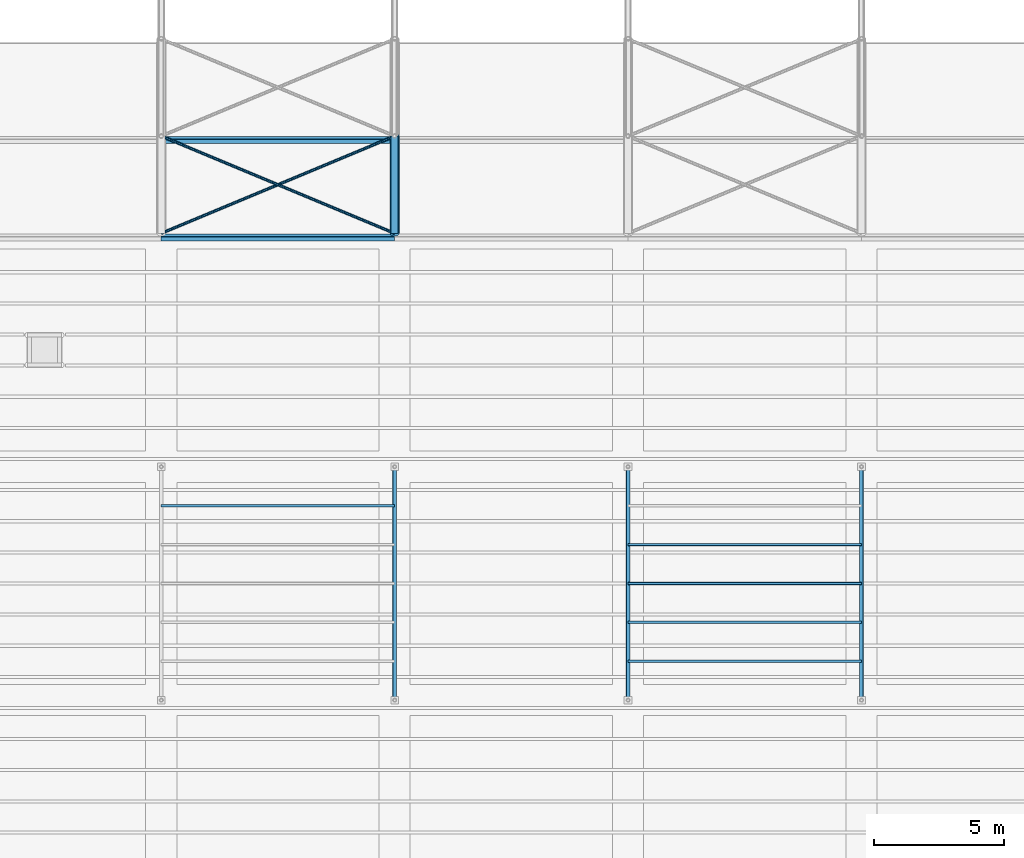
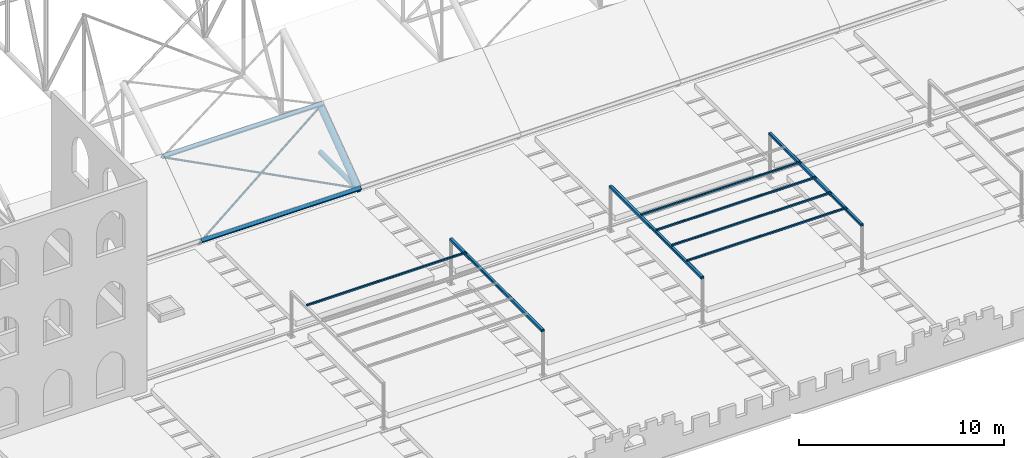
# One storey, part 21 of 153: 11 members, 3 beams.
"""IFC4 building model written with IfcOpenShell, lengths in metres."""

from ifc_helpers import new_model, si_unit, direction, frame, origin, origin_2d, place, context, subcontext, project, spatial, hollow_rectangle, hollow_circle, extrude, material, material_profile, profile_set, type_object, element, save


model = new_model("IFC4")

# Units and contexts
model_context = context("Model", 3, precision=1e-05, world=origin(), true_north=direction((0.0, 1.0)))
body_context = subcontext(model_context, "Body", "Model", "MODEL_VIEW")
ifc_project = project(units=[si_unit("LENGTHUNIT", "METRE"), si_unit("AREAUNIT", "SQUARE_METRE"), si_unit("VOLUMEUNIT", "CUBIC_METRE"), si_unit("PLANEANGLEUNIT", "RADIAN"), si_unit("MASSUNIT", "GRAM", prefix="KILO")], contexts=[model_context])

# Site, building, storey
site_placement = place(None, origin())
site = spatial("IfcSite", under=ifc_project, at=site_placement, CompositionType="ELEMENT")
building_placement = place(site_placement, origin())
building = spatial("IfcBuilding", under=site, at=building_placement, Name="Baradari Gate Terminus", CompositionType="ELEMENT")
storey_placement = place(building_placement, frame((0.0, 0.0, 11.699951171875)))
storey = spatial("IfcBuildingStorey", under=building, at=storey_placement, Name="L02", CompositionType="ELEMENT", Elevation=11.699951171875)

# Beams
ifc_material_1 = material(Name="Steel S355", Category="steel")
ifc_material_profile_1 = material_profile(ifc_material_1, hollow_rectangle(XDim=0.14990234375, YDim=0.14990234375, WallThickness=0.00634765625, InnerFilletRadius=0.00634765625, OuterFilletRadius=0.0126953125, at=origin_2d()), Name="SHS 150x150x6.3")
ifc_profile_set_1 = profile_set([ifc_material_profile_1], Name="Steel S355")
beam_type = type_object("IfcBeamType", Name="Pergola beam SHS 150x150x6.3", PredefinedType="BEAM", material=ifc_profile_set_1)
for number, where, z_axis, x_axis, name in (
    (1, (108.0, 18.0, 2.675048828125), (0.0, 1.0, 0.0), (-1.0, 0.0, 0.0), "RF/L02/PGS1-PGB2"),
    (2, (117.0, 18.0, 2.675048828125), (0.0, 1.0, 0.0), (-1.0, 0.0, 0.0), "RF/L02/PGS2-PGB1"),
    (3, (126.0, 18.0, 2.675048828125), (0.0, 1.0, 0.0), (-1.0, 0.0, 0.0), "RF/L02/PGS2-PGB2"),
):
    element("IfcBeam", number, at=place(storey_placement, frame(where, z_axis=z_axis, x_axis=x_axis)), inside=storey, type_object=beam_type, Name=name, PredefinedType="BEAM", context=body_context, shape_type="SweptSolid", body=[
        extrude(hollow_rectangle(XDim=0.14990234375, YDim=0.14990234375, WallThickness=0.00634765625, InnerFilletRadius=0.00634765625, OuterFilletRadius=0.0126953125, at=origin_2d()), origin(), (0.0, 0.0, 1.0), 9.0),
    ])

# Members
ifc_material_2 = material(Name="Steel S355", Category="steel")
ifc_material_profile_2 = material_profile(ifc_material_2, hollow_rectangle(XDim=0.10009765625, YDim=0.10009765625, WallThickness=0.00634765625, InnerFilletRadius=0.00634765625, OuterFilletRadius=0.0126953125, at=origin_2d()), Name="SHS 100x100x6.3")
ifc_profile_set_2 = profile_set([ifc_material_profile_2], Name="Steel S355")
member_type_1 = type_object("IfcMemberType", Name="Pergola rafter SHS 100x100x6.3", PredefinedType="STRINGER", material=ifc_profile_set_2)
for number, where, z_axis, x_axis, name in (
    (4, (99.0, 25.5, 2.800048828125), (1.0, 0.0, 0.0), (0.0, 1.0, 0.0), "RF/L02/PGS1-PGR5"),
    (5, (117.0, 19.5, 2.800048828125), (1.0, 0.0, 0.0), (0.0, 1.0, 0.0), "RF/L02/PGS2-PGR1"),
    (6, (117.0, 21.0, 2.800048828125), (1.0, 0.0, 0.0), (0.0, 1.0, 0.0), "RF/L02/PGS2-PGR2"),
    (7, (117.0, 22.5, 2.800048828125), (1.0, 0.0, 0.0), (0.0, 1.0, 0.0), "RF/L02/PGS2-PGR3"),
    (8, (117.0, 24.0, 2.800048828125), (1.0, 0.0, 0.0), (0.0, 1.0, 0.0), "RF/L02/PGS2-PGR4"),
):
    element("IfcMember", number, at=place(storey_placement, frame(where, z_axis=z_axis, x_axis=x_axis)), inside=storey, type_object=member_type_1, Name=name, PredefinedType="STRINGER", context=body_context, shape_type="SweptSolid", body=[
        extrude(hollow_rectangle(XDim=0.10009765625, YDim=0.10009765625, WallThickness=0.00634765625, InnerFilletRadius=0.00634765625, OuterFilletRadius=0.0126953125, at=origin_2d()), origin(), (0.0, 0.0, 1.0), 9.0),
    ])
ifc_material_3 = material(Name="Steel S355", Category="steel")
ifc_material_profile_3 = material_profile(ifc_material_3, hollow_circle(Radius=0.136474609375, WallThickness=0.012451171875, at=origin_2d()), Name="CHS 273x12.5")
ifc_profile_set_3 = profile_set([ifc_material_profile_3], Name="Steel S355")
member_type_2 = type_object("IfcMemberType", Name="Shed bottom chord CHS 273x12.5", PredefinedType="CHORD", material=ifc_profile_set_3)
member_1_placement = place(storey_placement, frame((108.0, 36.0, 0.136474609375), z_axis=(0.0, 1.0, 0.0), x_axis=(-1.0, 0.0, 0.0)))
element("IfcMember", 9, at=member_1_placement, inside=storey, type_object=member_type_2, Name="TR/L02/S108-BC00", PredefinedType="CHORD", context=body_context, shape_type="SweptSolid", body=[
    extrude(hollow_circle(Radius=0.136474609375, WallThickness=0.012451171875, at=origin_2d()), origin(), (0.0, 0.0, 1.0), 3.75),
])
ifc_material_4 = material(Name="Steel S355", Category="steel")
ifc_material_profile_4 = material_profile(ifc_material_4, hollow_rectangle(XDim=0.199951171875, YDim=0.199951171875, WallThickness=0.008056640625, InnerFilletRadius=0.008056640625, OuterFilletRadius=0.01611328125, at=origin_2d()), Name="SHS 200x200x8")
ifc_profile_set_4 = profile_set([ifc_material_profile_4], Name="Steel S355")
member_type_3 = type_object("IfcMemberType", Name="Shed purlin SHS 200x200x8", PredefinedType="PURLIN", material=ifc_profile_set_4)
for number, where, z_axis, x_axis, name in (
    (10, (99.0, 35.8427734375, 0.350830078125), (1.0, 0.0, 0.0), (0.0, 0.80640499586, 0.591363663621), "TR/L02/B108-PU00"),
    (11, (99.0, 39.602783203125, 3.10791015625), (1.0, 0.0, 0.0), (0.0, 0.832836263724, 0.55351942859), "TR/L02/B108-PU01"),
):
    element("IfcMember", number, at=place(storey_placement, frame(where, z_axis=z_axis, x_axis=x_axis)), inside=storey, type_object=member_type_3, Name=name, PredefinedType="PURLIN", context=body_context, shape_type="SweptSolid", body=[
        extrude(hollow_rectangle(XDim=0.199951171875, YDim=0.199951171875, WallThickness=0.008056640625, InnerFilletRadius=0.008056640625, OuterFilletRadius=0.01611328125, at=origin_2d()), origin(), (0.0, 0.0, 1.0), 9.0),
    ])
ifc_material_5 = material(Name="Steel S355", Category="steel")
ifc_material_profile_5 = material_profile(ifc_material_5, hollow_circle(Radius=0.05712890625, WallThickness=0.00634765625, at=origin_2d()), Name="CHS 114.3x6.3")
ifc_profile_set_5 = profile_set([ifc_material_profile_5], Name="Steel S355")
member_type_4 = type_object("IfcMemberType", Name="Shed roof brace CHS 114.3x6.3", PredefinedType="BRACE", material=ifc_profile_set_5)
for number, where, z_axis, x_axis, name in (
    (12, (99.0, 36.0, 0.136474609375), (0.888415085526, 0.370172952302, 0.271460165022), (-0.384615384615, 0.923076923077, 0.0), "TR/L02/B108-RB00A"),
    (13, (108.0, 36.0, 0.250732421875), (-0.888415085526, 0.370172952302, 0.271460165022), (-0.384615384615, -0.923076923077, 0.0), "TR/L02/B108-RB00B"),
):
    element("IfcMember", number, at=place(storey_placement, frame(where, z_axis=z_axis, x_axis=x_axis)), inside=storey, type_object=member_type_4, Name=name, PredefinedType="BRACE", context=body_context, shape_type="SweptSolid", body=[
        extrude(hollow_circle(Radius=0.05712890625, WallThickness=0.00634765625, at=origin_2d()), origin(), (0.0, 0.0, 1.0), 10.13037109375),
    ])
ifc_material_6 = material(Name="Steel S355", Category="steel")
ifc_material_profile_6 = material_profile(ifc_material_6, hollow_circle(Radius=0.177734375, WallThickness=0.01611328125, at=origin_2d()), Name="CHS 355.6x16")
ifc_profile_set_6 = profile_set([ifc_material_profile_6], Name="Steel S355")
member_type_5 = type_object("IfcMemberType", Name="Shed top chord CHS 355.6x16", PredefinedType="CHORD", material=ifc_profile_set_6)
member_2_placement = place(storey_placement, frame((108.0, 36.0, 0.136474609375), z_axis=(0.0, 0.806404995856, 0.591363663628), x_axis=(-1.0, 0.0, 0.0)))
element("IfcMember", 14, at=member_2_placement, inside=storey, type_object=member_type_5, Name="TR/L02/S108-TC00", PredefinedType="CHORD", context=body_context, shape_type="SweptSolid", body=[
    extrude(hollow_circle(Radius=0.177734375, WallThickness=0.01611328125, at=origin_2d()), origin(), (0.0, 0.0, 1.0), 4.650390625),
])

save(model, "model.ifc")
